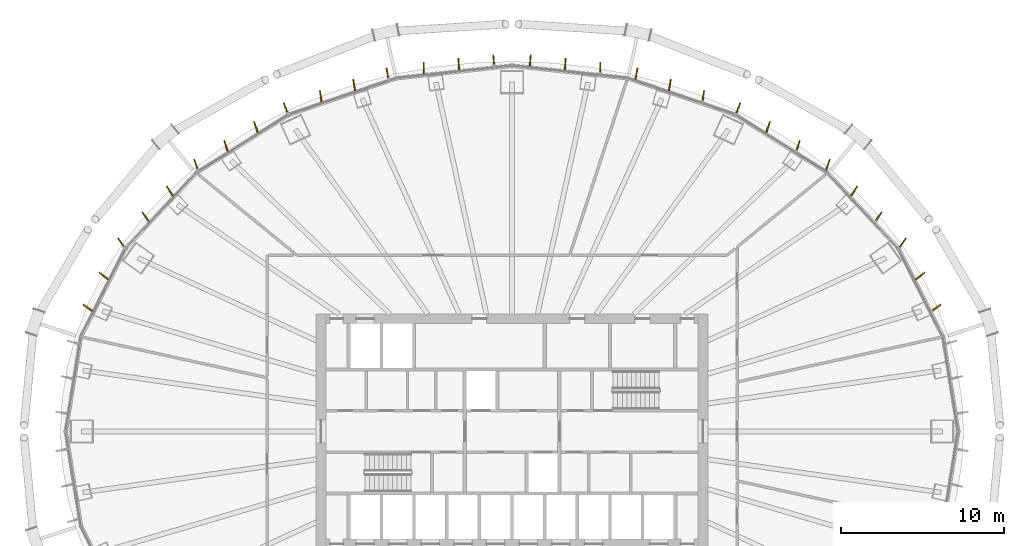
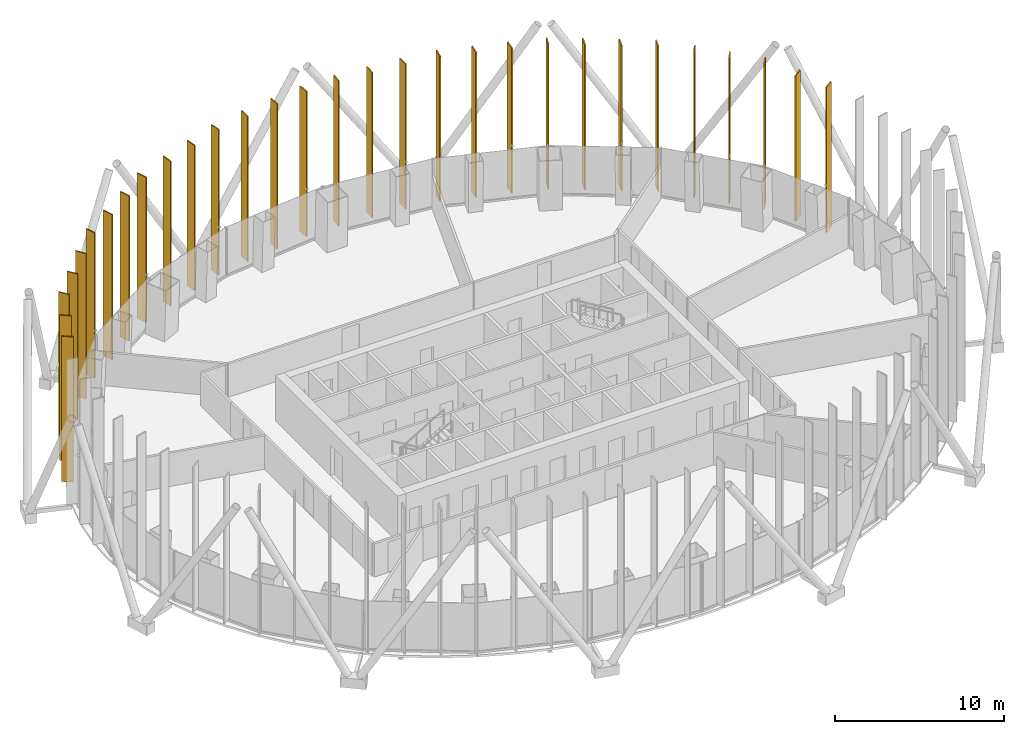
# One storey, part 19 of 19: 30 shading devices.
"""IFC4 building model written with IfcOpenShell, lengths in metres."""

from ifc_helpers import new_model, si_unit, direction, frame, origin, origin_2d, place, context, subcontext, project, spatial, rectangle, extrude, material, layer, layer_set, type_object, element, save


model = new_model("IFC4")

# Units and contexts
model_context = context("Model", 3, precision=1e-05, world=origin(), true_north=direction((0.0, 1.0)))
body_context = subcontext(model_context, "Body", "Model", "MODEL_VIEW")
ifc_project = project(units=[si_unit("LENGTHUNIT", "METRE"), si_unit("AREAUNIT", "SQUARE_METRE"), si_unit("VOLUMEUNIT", "CUBIC_METRE"), si_unit("PLANEANGLEUNIT", "RADIAN"), si_unit("MASSUNIT", "GRAM", prefix="KILO")], contexts=[model_context])

# Site, building, storey
site_placement = place(None, origin())
site = spatial("IfcSite", under=ifc_project, at=site_placement, CompositionType="ELEMENT")
building_placement = place(site_placement, origin())
building = spatial("IfcBuilding", under=site, at=building_placement, Name="Siaravel Broadcast Tower", CompositionType="ELEMENT")
storey_placement = place(building_placement, frame((0.0, 0.0, 59.300048828125)))
storey = spatial("IfcBuildingStorey", under=building, at=storey_placement, Name="L13", CompositionType="ELEMENT", Elevation=59.300048828125)

# Shading devices
ifc_material = material(Name="Bronze anodised aluminium", Category="aluminium")
ifc_layer = layer(ifc_material, 0.080078125)
ifc_layer_set = layer_set([ifc_layer], Name="Bronze anodised aluminium")
shading_device_type = type_object("IfcShadingDeviceType", Name="Bronze fin zone 1", PredefinedType="USERDEFINED", material=ifc_layer_set)
for number, where, z_axis, x_axis, name in (
    (1, (26.011962890625, 7.583984375, 0.300048828125), (0.0, 0.0, 1.0), (0.813688608, 0.581300998, 0.0), "Bronze fin L13-04"),
    (2, (25.025634765625, 9.530029296875, 0.300048828125), (0.0, 0.0, 1.0), (0.793975544, 0.607949698, 0.0), "Bronze fin L13-05"),
    (3, (23.95166015625, 11.564208984375, 0.300048828125), (0.0, 0.0, 1.0), (0.569850481, 0.821748398, 0.0), "Bronze fin L13-06"),
    (4, (22.462646484375, 13.151611328125, 0.300048828125), (0.0, 0.0, 1.0), (0.554734068, 0.832027712, 0.0), "Bronze fin L13-07"),
    (5, (20.9755859375, 14.73779296875, 0.300048828125), (0.0, 0.0, 1.0), (0.545512602, 0.83810262, 0.0), "Bronze fin L13-08"),
    (6, (19.36572265625, 16.346435546875, 0.300048828125), (0.0, 0.0, 1.0), (0.311535645, 0.950234467, 0.0), "Bronze fin L13-09"),
    (7, (17.52978515625, 17.5009765625, 0.300048828125), (0.0, 0.0, 1.0), (0.315357548, 0.948972927, 0.0), "Bronze fin L13-10"),
    (8, (15.69580078125, 18.654541015625, 0.300048828125), (0.0, 0.0, 1.0), (0.325787628, 0.945442976, 0.0), "Bronze fin L13-11"),
    (9, (13.8642578125, 19.807373046875, 0.300048828125), (0.0, 0.0, 1.0), (0.342297301, 0.939591697, 0.0), "Bronze fin L13-12"),
    (10, (11.71923828125, 20.537841796875, 0.300048828125), (0.0, 0.0, 1.0), (0.13742553, 0.990512102, 0.0), "Bronze fin L13-13"),
    (11, (9.673828125, 21.233642578125, 0.300048828125), (0.0, 0.0, 1.0), (0.164866857, 0.986315832, 0.0), "Bronze fin L13-14"),
    (12, (7.629638671875, 21.928955078125, 0.300048828125), (0.0, 0.0, 1.0), (0.196257627, 0.980552367, 0.0), "Bronze fin L13-15"),
    (13, (5.4091796875, 22.275634765625, 0.300048828125), (0.0, 0.0, 1.0), (0.012395011, 0.999923179, 0.0), "Bronze fin L13-16"),
    (14, (3.264404296875, 22.5078125, 0.300048828125), (0.0, 0.0, 1.0), (0.049512192, 0.998773519, 0.0), "Bronze fin L13-17"),
    (15, (1.1201171875, 22.739501953125, 0.300048828125), (0.0, 0.0, 1.0), (0.087969419, 0.996123176, 0.0), "Bronze fin L13-18"),
    (16, (-1.1201171875, 22.739501953125, 0.300048828125), (0.0, 0.0, 1.0), (-0.087969419, 0.996123176, 0.0), "Bronze fin L13-19"),
    (17, (-3.264404296875, 22.5078125, 0.300048828125), (0.0, 0.0, 1.0), (-0.049512192, 0.998773519, 0.0), "Bronze fin L13-20"),
    (18, (-5.4091796875, 22.275634765625, 0.300048828125), (0.0, 0.0, 1.0), (-0.012395011, 0.999923179, 0.0), "Bronze fin L13-21"),
    (19, (-7.629638671875, 21.928955078125, 0.300048828125), (0.0, 0.0, 1.0), (-0.196257627, 0.980552367, 0.0), "Bronze fin L13-22"),
    (20, (-9.673828125, 21.233642578125, 0.300048828125), (0.0, 0.0, 1.0), (-0.164866857, 0.986315832, 0.0), "Bronze fin L13-23"),
    (21, (-11.71923828125, 20.537841796875, 0.300048828125), (0.0, 0.0, 1.0), (-0.13742553, 0.990512102, 0.0), "Bronze fin L13-24"),
    (22, (-13.8642578125, 19.807373046875, 0.300048828125), (0.0, 0.0, 1.0), (-0.342297301, 0.939591697, 0.0), "Bronze fin L13-25"),
    (23, (-15.69580078125, 18.654541015625, 0.300048828125), (0.0, 0.0, 1.0), (-0.325787628, 0.945442976, 0.0), "Bronze fin L13-26"),
    (24, (-17.52978515625, 17.5009765625, 0.300048828125), (0.0, 0.0, 1.0), (-0.315357548, 0.948972927, 0.0), "Bronze fin L13-27"),
    (25, (-19.36572265625, 16.346435546875, 0.300048828125), (0.0, 0.0, 1.0), (-0.311535645, 0.950234467, 0.0), "Bronze fin L13-28"),
    (26, (-20.9755859375, 14.73779296875, 0.300048828125), (0.0, 0.0, 1.0), (-0.545512602, 0.83810262, 0.0), "Bronze fin L13-29"),
    (27, (-22.462646484375, 13.151611328125, 0.300048828125), (0.0, 0.0, 1.0), (-0.554734068, 0.832027712, 0.0), "Bronze fin L13-30"),
    (28, (-23.95166015625, 11.564208984375, 0.300048828125), (0.0, 0.0, 1.0), (-0.569850481, 0.821748398, 0.0), "Bronze fin L13-31"),
    (29, (-25.025634765625, 9.530029296875, 0.300048828125), (0.0, 0.0, 1.0), (-0.793975544, 0.607949698, 0.0), "Bronze fin L13-32"),
    (30, (-26.011962890625, 7.583984375, 0.300048828125), (0.0, 0.0, 1.0), (-0.813688608, 0.581300998, 0.0), "Bronze fin L13-33"),
):
    element("IfcShadingDevice", number, at=place(storey_placement, frame(where, z_axis=z_axis, x_axis=x_axis)), inside=storey, type_object=shading_device_type, Name=name, ObjectType="FIN", PredefinedType="USERDEFINED", context=body_context, shape_type="SweptSolid", body=[
        extrude(rectangle(XDim=0.699951171875, YDim=0.080078125, at=origin_2d()), origin(), (0.0, 0.0, 1.0), 10.5),
    ])

save(model, "model.ifc")
